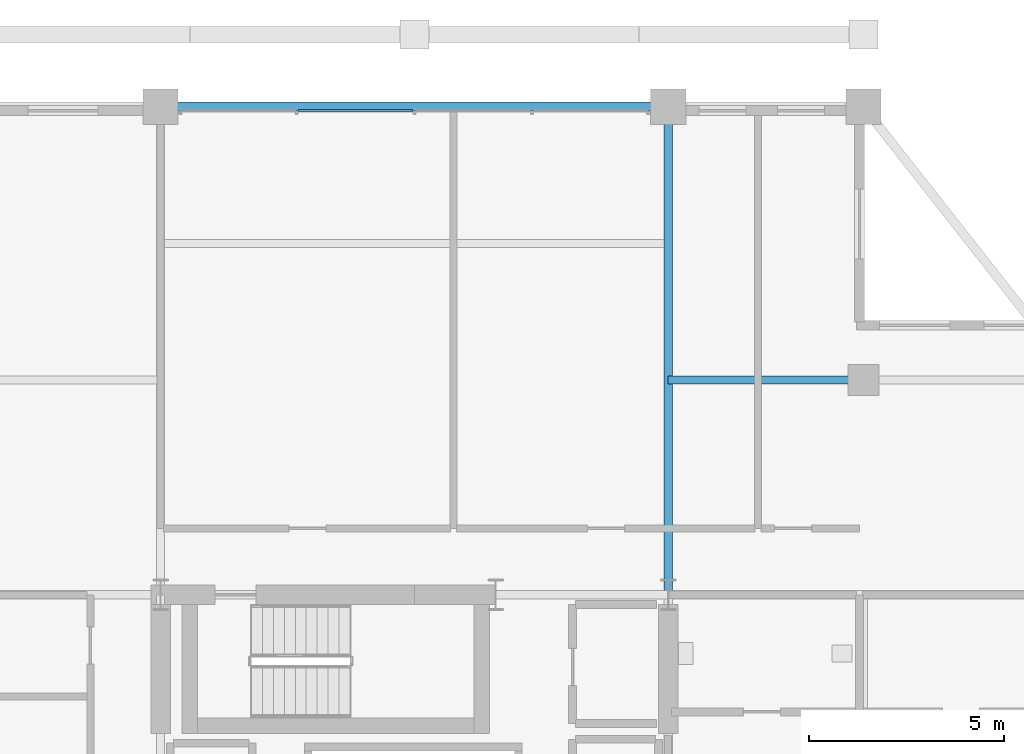
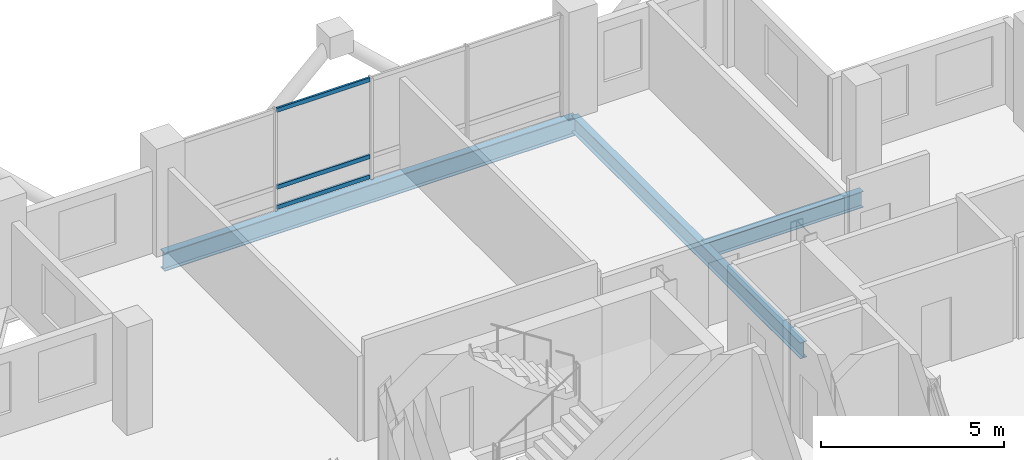
# One storey, part 15 of 22: 3 beams, 3 members, 1 element without a shape of its own.
"""IFC4 building model written with IfcOpenShell, lengths in metres."""

from ifc_helpers import new_model, si_unit, direction, frame, origin, origin_2d, place, context, subcontext, project, spatial, hollow_rectangle, i_section, extrude, material, layer, layer_set, material_profile, profile_set, type_object, element, aggregate, save


model = new_model("IFC4")

# Units and contexts
model_context = context("Model", 3, precision=1e-05, world=origin(), true_north=direction((0.0, 1.0)))
body_context = subcontext(model_context, "Body", "Model", "MODEL_VIEW")
ifc_project = project(units=[si_unit("LENGTHUNIT", "METRE"), si_unit("AREAUNIT", "SQUARE_METRE"), si_unit("VOLUMEUNIT", "CUBIC_METRE"), si_unit("PLANEANGLEUNIT", "RADIAN"), si_unit("MASSUNIT", "GRAM", prefix="KILO")], contexts=[model_context])

# Site, building, storey
site_placement = place(None, origin())
site = spatial("IfcSite", under=ifc_project, at=site_placement, CompositionType="ELEMENT")
building_placement = place(site_placement, origin())
building = spatial("IfcBuilding", under=site, at=building_placement, Name="Barlavira Tower and Art Museum", CompositionType="ELEMENT")
storey_placement = place(building_placement, frame((0.0, 0.0, 258.300048828125)))
storey = spatial("IfcBuildingStorey", under=building, at=storey_placement, Name="L67", CompositionType="ELEMENT", Elevation=258.300048828125)

# Curtain wall, members
ifc_material_1 = material(Name="Low-iron coastal laminated glass", Category="glass")
ifc_layer = layer(ifc_material_1, 0.2099609375, Name="Low-iron coastal laminated glass")
ifc_layer_set = layer_set([ifc_layer], Name="Low-iron coastal laminated glass")
curtain_wall_type = type_object("IfcCurtainWallType", Name="Pale-Metal Unitised Curtain Wall Zone 4", PredefinedType="NOTDEFINED", material=ifc_layer_set)
curtain_wall_placement = place(storey_placement, origin())
curtain_wall = element("IfcCurtainWall", 1, at=curtain_wall_placement, inside=storey, type_object=curtain_wall_type, Name="L67 Curtain Wall CW4-L67-N-B2", PredefinedType="NOTDEFINED")
ifc_material_2 = material(Name="Pale anodised aluminium", Category="aluminium")
ifc_material_profile_1 = material_profile(ifc_material_2, hollow_rectangle(XDim=0.06494140625, YDim=0.139892578125, WallThickness=0.00390625, at=origin_2d()), Name="ALU-TRAN 65x140x4")
ifc_profile_set_1 = profile_set([ifc_material_profile_1], Name="Pale anodised aluminium")
member_type = type_object("IfcMemberType", Name="Curtain Wall Pale-Metal Transom 65x140", PredefinedType="USERDEFINED", material=ifc_profile_set_1)
member_1_placement = place(storey_placement, frame((-0.044921875, 19.89990234375, 0.070068359375), z_axis=(-1.0, 0.0, 0.0), x_axis=(0.0, -1.0, 0.0)))
member_1 = element("IfcMember", 2, at=member_1_placement, type_object=member_type, Name="CW4-L67-N-B2 Transom 2.1", ObjectType="TRANSOM", PredefinedType="USERDEFINED", context=body_context, shape_type="SweptSolid", body=[
    extrude(hollow_rectangle(XDim=0.06494140625, YDim=0.139892578125, WallThickness=0.00390625, at=origin_2d()), origin(), (0.0, 0.0, 1.0), 2.925048828125),
])
member_2_placement = place(storey_placement, frame((-0.044921875, 19.89990234375, 0.743896484375), z_axis=(-1.0, 0.0, 0.0), x_axis=(0.0, -1.0, 0.0)))
member_2 = element("IfcMember", 3, at=member_2_placement, type_object=member_type, Name="CW4-L67-N-B2 Transom 2.2", ObjectType="TRANSOM", PredefinedType="USERDEFINED", context=body_context, shape_type="SweptSolid", body=[
    extrude(hollow_rectangle(XDim=0.06494140625, YDim=0.139892578125, WallThickness=0.00390625, at=origin_2d()), origin(), (0.0, 0.0, 1.0), 2.925048828125),
])
member_3_placement = place(storey_placement, frame((-0.044921875, 19.89990234375, 3.31005859375), z_axis=(-1.0, 0.0, 0.0), x_axis=(0.0, -1.0, 0.0)))
member_3 = element("IfcMember", 4, at=member_3_placement, type_object=member_type, Name="CW4-L67-N-B2 Transom 2.3", ObjectType="TRANSOM", PredefinedType="USERDEFINED", context=body_context, shape_type="SweptSolid", body=[
    extrude(hollow_rectangle(XDim=0.06494140625, YDim=0.139892578125, WallThickness=0.00390625, at=origin_2d()), origin(), (0.0, 0.0, 1.0), 2.925048828125),
])
aggregate(curtain_wall, [member_1, member_2, member_3])

# Beams
ifc_material_3 = material(Name="Steel S355", Category="steel")
ifc_material_profile_2 = material_profile(ifc_material_3, i_section(OverallWidth=0.22998046875, OverallDepth=0.616943359375, WebThickness=0.01318359375, FlangeThickness=0.022216796875, at=origin_2d()), Name="W610x140.0")
ifc_profile_set_2 = profile_set([ifc_material_profile_2], Name="Steel S355")
beam_type_1 = type_object("IfcBeamType", Name="Upper Shaft Spandrel Edge Beam W610x140 Steel S355", PredefinedType="SPANDREL", material=ifc_profile_set_2)
beam_1_placement = place(storey_placement, frame((-6.5, 20.0, -0.528564453125), z_axis=(1.0, 0.0, 0.0), x_axis=(0.0, 1.0, 0.0)))
element("IfcBeam", 5, at=beam_1_placement, inside=storey, type_object=beam_type_1, Name="L67 Spandrel 10", PredefinedType="SPANDREL", context=body_context, shape_type="SweptSolid", body=[
    extrude(i_section(OverallWidth=0.22998046875, OverallDepth=0.616943359375, WebThickness=0.01318359375, FlangeThickness=0.022216796875, at=origin_2d()), origin(), (0.0, 0.0, 1.0), 13.0),
])
ifc_material_profile_3 = material_profile(ifc_material_3, i_section(OverallWidth=0.2109375, OverallDepth=0.5390625, WebThickness=0.01171875, FlangeThickness=0.018798828125, at=origin_2d()), Name="W530x109.0")
ifc_profile_set_3 = profile_set([ifc_material_profile_3], Name="Steel S355")
beam_type_2 = type_object("IfcBeamType", Name="Zone 3-4 Primary Floor Girder W530x109 Steel S355", PredefinedType="BEAM", material=ifc_profile_set_3)
beam_2_placement = place(storey_placement, frame((6.5, 7.5, -0.489501953125), z_axis=(0.0, 1.0, 0.0), x_axis=(-1.0, 0.0, 0.0)))
element("IfcBeam", 6, at=beam_2_placement, inside=storey, type_object=beam_type_2, Name="L67 Girder R-N2", PredefinedType="BEAM", context=body_context, shape_type="SweptSolid", body=[
    extrude(i_section(OverallWidth=0.2109375, OverallDepth=0.5390625, WebThickness=0.01171875, FlangeThickness=0.018798828125, at=origin_2d()), origin(), (0.0, 0.0, 1.0), 12.5),
])
beam_3_placement = place(storey_placement, frame((6.5, 13.0, -0.489501953125), z_axis=(1.0, 0.0, 0.0), x_axis=(0.0, 1.0, 0.0)))
element("IfcBeam", 7, at=beam_3_placement, inside=storey, type_object=beam_type_2, Name="L67 Girder I-N3", PredefinedType="BEAM", context=body_context, shape_type="SweptSolid", body=[
    extrude(i_section(OverallWidth=0.2109375, OverallDepth=0.5390625, WebThickness=0.01171875, FlangeThickness=0.018798828125, at=origin_2d()), origin(), (0.0, 0.0, 1.0), 5.0),
])

save(model, "model.ifc")
